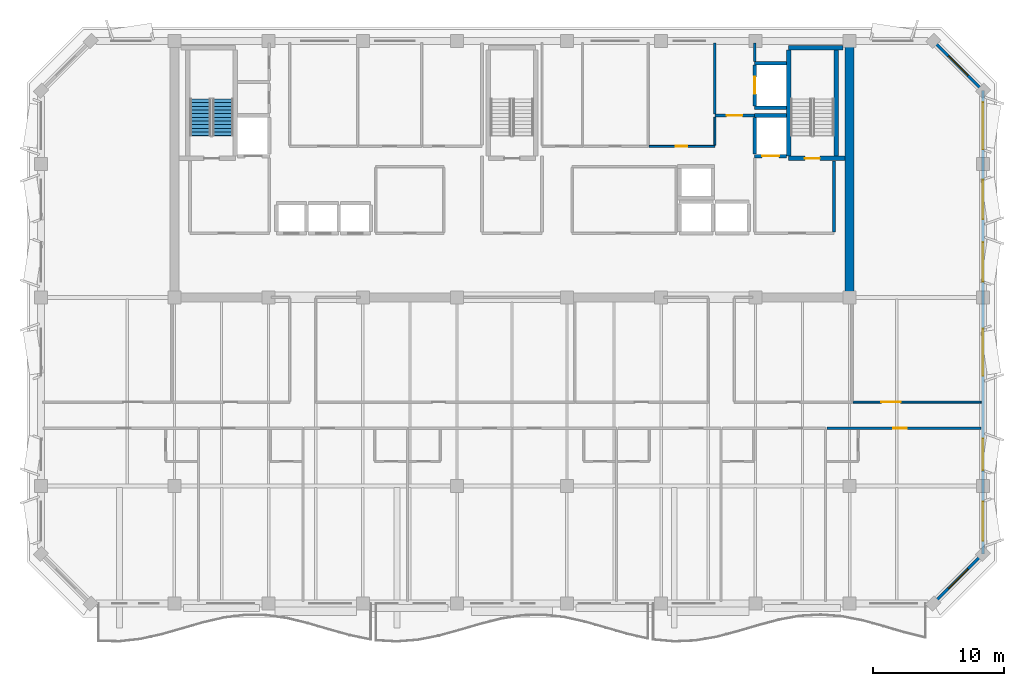
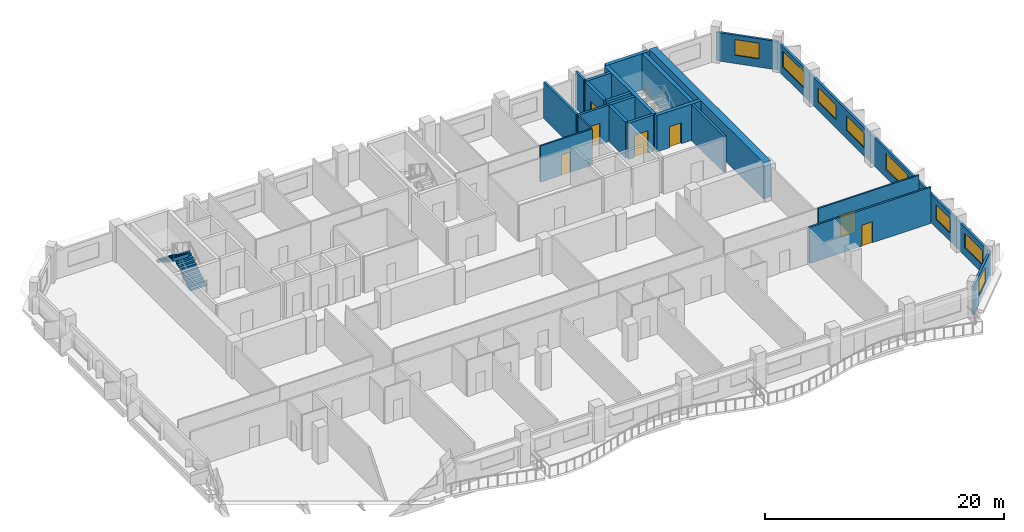
# One storey, part 7 of 11: 22 walls, 8 windows, 7 doors, 2 stair flights, 15 openings, 1 element without a shape of its own.
"""IFC4 building model written with IfcOpenShell, lengths in metres."""

import ifcopenshell
import ifcopenshell.guid

model = None  # the IFC model being written
_history = None  # IfcOwnerHistory: only IFC2X3 demands one
_inside = {}  # id of a spatial element -> (the spatial element, [elements in it])
_under = {}  # id of a project, library or spatial element -> (it, [spatial elements below it])
_declared = {}  # id of a project -> (the project, [libraries it declares])
_typed = {}  # id of a type object -> (the type object, [elements of that type])
_made_of = {}  # id of a material, layer set ... -> (it, [elements and type objects made of it])


def new_model(schema):
    """Start an empty IFC model of exactly this schema.

    Asked for "IFC4X3", IfcOpenShell would pick the latest addendum, in which some entities
    have other attributes; the version numbers below select the first issue.
    IFC2X3 requires an IfcOwnerHistory on every rooted entity: one is made here for all.
    """
    global model, _history
    if schema == "IFC4X3":
        model = ifcopenshell.file(schema_version=(4, 3, 0, 0))
    else:
        model = ifcopenshell.file(schema=schema)
    _inside.clear()
    _under.clear()
    _declared.clear()
    _typed.clear()
    _made_of.clear()
    _history = None
    if model.schema == "IFC2X3":
        org = make("IfcOrganization", Name="unknown")
        user = make(
            "IfcPersonAndOrganization",
            ThePerson=make("IfcPerson", FamilyName="unknown"),
            TheOrganization=org,
        )
        app = make(
            "IfcApplication",
            ApplicationDeveloper=org,
            Version="unknown",
            ApplicationFullName="unknown",
            ApplicationIdentifier="unknown",
        )
        _history = make(
            "IfcOwnerHistory",
            OwningUser=user,
            OwningApplication=app,
            ChangeAction="ADDED",
            CreationDate=0,
        )
    return model


def make(cls, **values):
    """One entity of the class cls with the attributes given. An attribute that is None is left unset."""
    return model.create_entity(
        cls, **{name: value for name, value in values.items() if value is not None}
    )


def rooted(cls, **values):
    """An entity with a GlobalId (a new one), such as an element, a storey or a relation."""
    return make(cls, GlobalId=ifcopenshell.guid.new(), OwnerHistory=_history, **values)


def si_unit(unit_type, name, prefix=None):
    """IfcSIUnit, for example si_unit("LENGTHUNIT", "METRE", prefix="MILLI")."""
    return make("IfcSIUnit", UnitType=unit_type, Prefix=prefix, Name=name)


def assignment(units):
    """IfcUnitAssignment: the units of a project."""
    return None if units is None else make("IfcUnitAssignment", Units=units)


def point(xyz):
    """IfcCartesianPoint."""
    return None if xyz is None else make("IfcCartesianPoint", Coordinates=xyz)


def direction(xyz):
    """IfcDirection."""
    return None if xyz is None else make("IfcDirection", DirectionRatios=xyz)


def frame(location, z_axis=None, x_axis=None):
    """IfcAxis2Placement3D, a coordinate frame: its origin and axes. An axis left out is left unset."""
    return make(
        "IfcAxis2Placement3D",
        Location=point(location),
        Axis=direction(z_axis),
        RefDirection=direction(x_axis),
    )


def frame_2d(location, x_axis=None):
    """IfcAxis2Placement2D, a coordinate frame in the plane: its origin and x axis."""
    return make(
        "IfcAxis2Placement2D", Location=point(location), RefDirection=direction(x_axis)
    )


def origin():
    """The frame at (0, 0, 0) with its axes left unset."""
    return frame((0.0, 0.0, 0.0))


def place(relative_to, where):
    """IfcLocalPlacement: puts the frame where relative to a parent placement (None: the world)."""
    return make(
        "IfcLocalPlacement", PlacementRelTo=relative_to, RelativePlacement=where
    )


def context(
    kind, dimensions, precision=None, world=None, true_north=None, identifier=None
):
    """IfcGeometricRepresentationContext, for example the 3D "Model" context."""
    return make(
        "IfcGeometricRepresentationContext",
        ContextIdentifier=identifier,
        ContextType=kind,
        CoordinateSpaceDimension=dimensions,
        Precision=precision,
        WorldCoordinateSystem=world,
        TrueNorth=true_north,
    )


def subcontext(parent, identifier, kind, view, scale=None):
    """IfcGeometricRepresentationSubContext, for example "Body" below "Model"."""
    return make(
        "IfcGeometricRepresentationSubContext",
        ContextIdentifier=identifier,
        ContextType=kind,
        ParentContext=parent,
        TargetScale=scale,
        TargetView=view,
    )


def project(units=None, contexts=None):
    """IfcProject with its units and contexts."""
    return rooted(
        "IfcProject",
        Name="project",
        RepresentationContexts=contexts,
        UnitsInContext=assignment(units),
    )


def spatial(cls, under=None, at=None, **own):
    """A site, building, storey or space (cls), placed at a placement, below another one or the project."""
    s = rooted(cls, ObjectPlacement=at, **own)
    if under is not None:
        _under.setdefault(under.id(), (under, []))[1].append(s)
    return s


def polyline(points):
    """IfcPolyline through the points."""
    return make("IfcPolyline", Points=[point(p) for p in points])


def profile(cls, at=None, kind="AREA", **sizes):
    """A parametric profile (cls). Its sizes go by their IFC names, for example OverallWidth=200.0."""
    return make(cls, ProfileType=kind, Position=at, **sizes)


def rectangle(**sizes):
    """IfcRectangleProfileDef."""
    return profile("IfcRectangleProfileDef", **sizes)


def outline(outer, holes=None, kind="AREA"):
    """IfcArbitraryClosedProfileDef: a profile drawn as a closed curve; with holes, ...WithVoids."""
    if holes is None:
        return make("IfcArbitraryClosedProfileDef", ProfileType=kind, OuterCurve=outer)
    return make(
        "IfcArbitraryProfileDefWithVoids",
        ProfileType=kind,
        OuterCurve=outer,
        InnerCurves=holes,
    )


def extrude(swept, where, along, depth):
    """IfcExtrudedAreaSolid: the profile swept, set in the frame where, extruded along a direction by depth."""
    return make(
        "IfcExtrudedAreaSolid",
        SweptArea=swept,
        Position=where,
        ExtrudedDirection=direction(along),
        Depth=depth,
    )


def shape(context_of_items, identifier, shape_type, items):
    """IfcShapeRepresentation: the items that make up one representation, for example the "Body"."""
    return make(
        "IfcShapeRepresentation",
        ContextOfItems=context_of_items,
        RepresentationIdentifier=identifier,
        RepresentationType=shape_type,
        Items=items,
    )


def material(Name=None, Category=None):
    """IfcMaterial."""
    return make("IfcMaterial", Name=Name, Category=Category)


def layer(
    of_material, thickness, ventilated=None, Name=None, Category=None, Priority=None
):
    """IfcMaterialLayer: one layer of a wall or slab, of a material (None: an air gap)."""
    return make(
        "IfcMaterialLayer",
        Material=of_material,
        LayerThickness=thickness,
        IsVentilated=ventilated,
        Name=Name,
        Category=Category,
        Priority=Priority,
    )


def layer_set(layers, Name=None):
    """IfcMaterialLayerSet."""
    return make("IfcMaterialLayerSet", MaterialLayers=layers, LayerSetName=Name)


def made_of(thing, what):
    """Note that an element or type object is made of a material, layer set ...; save() writes the relation."""
    if what is not None:
        _made_of.setdefault(what.id(), (what, []))[1].append(thing)
    return thing


def type_object(cls, material=None, **own):
    """A type object (cls), such as IfcWallType, which elements share."""
    return made_of(rooted(cls, **own), material)


def element(
    cls,
    number,
    at=None,
    inside=None,
    cuts=None,
    type_object=None,
    material=None,
    context=None,
    identifier="Body",
    shape_type=None,
    held_by="IfcProductDefinitionShape",
    body=None,
    shapes=None,
    **own,
):
    """One element of the class cls, such as IfcWall. Its Tag is "e" and its number.

    at: its placement. inside: the storey or other place that contains it. cuts: it is an
    opening in that element (IfcRelVoidsElement). A single representation is given by context,
    identifier, shape_type and body (its items); several are given by shapes. held_by: the class
    of the entity that holds the representations. save() writes the other relations.
    """
    e = rooted(cls, Tag="e%d" % number, ObjectPlacement=at, **own)
    if body is not None:
        shapes = [shape(context, identifier, shape_type, body)]
    if shapes is not None:
        e.Representation = make(held_by, Representations=shapes)
    if inside is not None:
        _inside.setdefault(inside.id(), (inside, []))[1].append(e)
    if cuts is not None:
        rooted(
            "IfcRelVoidsElement", RelatingBuildingElement=cuts, RelatedOpeningElement=e
        )
    if type_object is not None:
        _typed.setdefault(type_object.id(), (type_object, []))[1].append(e)
    return made_of(e, material)


def fill(opening, filler):
    """IfcRelFillsElement: the door or window that sits in an opening."""
    return rooted(
        "IfcRelFillsElement",
        RelatingOpeningElement=opening,
        RelatedBuildingElement=filler,
    )


def aggregate(whole, parts):
    """IfcRelAggregates: a whole, such as a stair, and the parts it consists of."""
    return rooted("IfcRelAggregates", RelatingObject=whole, RelatedObjects=parts)


def save(model, path):
    """Write the relations noted so far, then the file.

    IfcRelAggregates (storeys below a building ...), IfcRelContainedInSpatialStructure (elements
    in a storey), IfcRelDefinesByType, IfcRelAssociatesMaterial and IfcRelDeclares: one each for
    every whole, place, type object, material and project.
    """
    for whole, parts in _under.values():
        aggregate(whole, parts)
    for where, things in _inside.values():
        rooted(
            "IfcRelContainedInSpatialStructure",
            RelatedElements=things,
            RelatingStructure=where,
        )
    for kind, things in _typed.values():
        rooted("IfcRelDefinesByType", RelatedObjects=things, RelatingType=kind)
    for what, things in _made_of.values():
        rooted("IfcRelAssociatesMaterial", RelatedObjects=things, RelatingMaterial=what)
    for by, libraries in _declared.values():
        rooted("IfcRelDeclares", RelatingContext=by, RelatedDefinitions=libraries)
    model.write(path)


model = new_model("IFC4")

# Units and contexts
model_context = context("Model", 3, precision=1e-05, world=origin(), true_north=direction((0.0, 1.0)))
body_context = subcontext(model_context, "Body", "Model", "MODEL_VIEW")
ifc_project = project(units=[si_unit("LENGTHUNIT", "METRE"), si_unit("AREAUNIT", "SQUARE_METRE"), si_unit("VOLUMEUNIT", "CUBIC_METRE"), si_unit("PLANEANGLEUNIT", "RADIAN"), si_unit("MASSUNIT", "GRAM", prefix="KILO")], contexts=[model_context])

# Site, building, storey
site_placement = place(None, origin())
site = spatial("IfcSite", under=ifc_project, at=site_placement, CompositionType="ELEMENT")
building_placement = place(site_placement, origin())
building = spatial("IfcBuilding", under=site, at=building_placement, Name="Kaelvorn Grand Hotel", CompositionType="ELEMENT")
storey_placement = place(building_placement, frame((0.0, 0.0, 248.89990234375)))
storey = spatial("IfcBuildingStorey", under=building, at=storey_placement, Name="L61", CompositionType="ELEMENT", Elevation=248.89990234375)

# Wall
ifc_material_1 = material(Name="Concrete C50/60", Category="concrete")
ifc_layer_1 = layer(ifc_material_1, 0.699951171875)
ifc_layer_set_1 = layer_set([ifc_layer_1], Name="Concrete C50/60")
wall_type_1 = type_object("IfcWallType", Name="WL-CORE-700-C50", PredefinedType="SHEAR", material=ifc_layer_set_1)
wall_1_placement = place(storey_placement, frame((67.800048828125, 29.39990234375, 0.0), z_axis=(0.0, 0.0, 1.0), x_axis=(0.0, 1.0, 0.0)))
element("IfcWall", 1, at=wall_1_placement, inside=storey, type_object=wall_type_1, Name="L61 Rear-Core East Shear Wall", PredefinedType="SHEAR", context=body_context, shape_type="SweptSolid", body=[
    extrude(rectangle(XDim=19.2001953125, YDim=0.699951171875, at=frame_2d((9.60009765625, 0.0))), origin(), (0.0, 0.0, 1.0), 3.710205078125),
])

# Wall, opening, window
ifc_material_2 = material(Name="Concrete C40/50", Category="concrete")
ifc_layer_2 = layer(ifc_material_2, 0.219970703125)
ifc_layer_set_2 = layer_set([ifc_layer_2], Name="Concrete C40/50")
wall_type_2 = type_object("IfcWallType", Name="WL-EXT-220-C40", PredefinedType="SOLIDWALL", material=ifc_layer_set_2)
wall_2_placement = place(storey_placement, frame((74.199951171875, 6.0, 0.0), z_axis=(0.0, 0.0, 1.0), x_axis=(0.707106781187, 0.707106781187, 0.0)))
wall_2 = element("IfcWall", 2, at=wall_2_placement, inside=storey, type_object=wall_type_2, Name="L61 Exterior Architectural Concrete Wall 02", PredefinedType="SOLIDWALL", context=body_context, shape_type="SweptSolid", body=[
    extrude(rectangle(XDim=5.3740234375, YDim=0.219970703125, at=frame_2d((2.68701171875, 0.0))), origin(), (0.0, 0.0, 1.0), 2.91015625),
])
opening_1_placement = place(wall_2_placement, frame((1.636962890625, 0.0, 0.85009765625)))
opening_1 = element("IfcOpeningElement", 3, at=opening_1_placement, cuts=wall_2, Name="Opening W7", PredefinedType="OPENING", context=body_context, shape_type="SweptSolid", body=[
    extrude(rectangle(XDim=2.10009765625, YDim=1.60009765625, at=frame_2d((1.050048828125, 0.800048828125))), frame((0.0, 0.1201171875, 0.0), z_axis=(0.0, -1.0, 0.0), x_axis=(1.0, 0.0, 0.0)), (0.0, 0.0, 1.0), 0.239990234375),
])
ifc_material_3 = material(Name="Laminated Low-E Glass", Category="glass")
window_type_1 = type_object("IfcWindowType", Name="WIN-CHM-2100x1600", PartitioningType="SINGLE_PANEL", PredefinedType="WINDOW", material=ifc_material_3)
window_1_placement = place(opening_1_placement, origin())
window_1 = element("IfcWindow", 4, at=window_1_placement, inside=storey, type_object=window_type_1, Name="L61 Chamfered 45-Degree Corner Window SE", OverallHeight=1.60009765625, OverallWidth=2.10009765625, PartitioningType="SINGLE_PANEL", PredefinedType="WINDOW", context=body_context, shape_type="SweptSolid", body=[
    extrude(rectangle(XDim=2.10009765625, YDim=1.60009765625, at=frame_2d((1.050048828125, 0.800048828125))), frame((0.0, 0.030029296875, 0.0), z_axis=(0.0, -1.0, 0.0), x_axis=(1.0, 0.0, 0.0)), (0.0, 0.0, 1.0), 0.06005859375),
])
fill(opening_1, window_1)

# Wall, openings, windows
wall_3_placement = place(storey_placement, frame((78.0, 9.800048828125, 0.0), z_axis=(0.0, 0.0, 1.0), x_axis=(0.0, 1.0, 0.0)))
wall_3 = element("IfcWall", 5, at=wall_3_placement, inside=storey, type_object=wall_type_2, Name="L61 Exterior Architectural Concrete Wall 03", PredefinedType="SOLIDWALL", context=body_context, shape_type="SweptSolid", body=[
    extrude(rectangle(XDim=35.39990234375, YDim=0.219970703125, at=frame_2d((17.699951171875, 0.0))), origin(), (0.0, 0.0, 1.0), 2.91015625),
])
opening_2_placement = place(wall_3_placement, frame((0.985107421875, 0.0, 0.85009765625)))
opening_2 = element("IfcOpeningElement", 6, at=opening_2_placement, cuts=wall_3, Name="Opening W5", PredefinedType="OPENING", context=body_context, shape_type="SweptSolid", body=[
    extrude(rectangle(XDim=3.0, YDim=1.5, at=frame_2d((1.5, 0.75))), frame((0.0, 0.1201171875, 0.0), z_axis=(0.0, -1.0, 0.0), x_axis=(1.0, 0.0, 0.0)), (0.0, 0.0, 1.0), 0.239990234375),
])
opening_3_placement = place(wall_3_placement, frame((6.39990234375, 0.0, 0.85009765625)))
opening_3 = element("IfcOpeningElement", 7, at=opening_3_placement, cuts=wall_3, Name="Opening W6", PredefinedType="OPENING", context=body_context, shape_type="SweptSolid", body=[
    extrude(rectangle(XDim=2.39990234375, YDim=1.5, at=frame_2d((1.199951171875, 0.75))), frame((0.0, 0.1201171875, 0.0), z_axis=(0.0, -1.0, 0.0), x_axis=(1.0, 0.0, 0.0)), (0.0, 0.0, 1.0), 0.239990234375),
])
opening_4_placement = place(wall_3_placement, frame((13.60009765625, 0.0, 0.85009765625)))
opening_4 = element("IfcOpeningElement", 8, at=opening_4_placement, cuts=wall_3, Name="Opening W3", PredefinedType="OPENING", context=body_context, shape_type="SweptSolid", body=[
    extrude(rectangle(XDim=3.60009765625, YDim=1.64990234375, at=frame_2d((1.800048828125, 0.824951171875))), frame((0.0, 0.1201171875, 0.0), z_axis=(0.0, -1.0, 0.0), x_axis=(1.0, 0.0, 0.0)), (0.0, 0.0, 1.0), 0.239990234375),
])
opening_5_placement = place(wall_3_placement, frame((20.81494140625, 0.0, 0.85009765625)))
opening_5 = element("IfcOpeningElement", 9, at=opening_5_placement, cuts=wall_3, Name="Opening W5", PredefinedType="OPENING", context=body_context, shape_type="SweptSolid", body=[
    extrude(rectangle(XDim=3.0, YDim=1.5, at=frame_2d((1.5, 0.75))), frame((0.0, 0.1201171875, 0.0), z_axis=(0.0, -1.0, 0.0), x_axis=(1.0, 0.0, 0.0)), (0.0, 0.0, 1.0), 0.239990234375),
])
opening_6_placement = place(wall_3_placement, frame((25.5849609375, 0.0, 0.85009765625)))
opening_6 = element("IfcOpeningElement", 10, at=opening_6_placement, cuts=wall_3, Name="Opening W5", PredefinedType="OPENING", context=body_context, shape_type="SweptSolid", body=[
    extrude(rectangle(XDim=3.0, YDim=1.5, at=frame_2d((1.5, 0.75))), frame((0.0, 0.1201171875, 0.0), z_axis=(0.0, -1.0, 0.0), x_axis=(1.0, 0.0, 0.0)), (0.0, 0.0, 1.0), 0.239990234375),
])
opening_7_placement = place(wall_3_placement, frame((30.9150390625, 0.0, 0.85009765625)))
opening_7 = element("IfcOpeningElement", 11, at=opening_7_placement, cuts=wall_3, Name="Opening W3", PredefinedType="OPENING", context=body_context, shape_type="SweptSolid", body=[
    extrude(rectangle(XDim=3.60009765625, YDim=1.64990234375, at=frame_2d((1.800048828125, 0.824951171875))), frame((0.0, 0.1201171875, 0.0), z_axis=(0.0, -1.0, 0.0), x_axis=(1.0, 0.0, 0.0)), (0.0, 0.0, 1.0), 0.239990234375),
])
window_type_2 = type_object("IfcWindowType", Name="WIN-NTH-2400x1500", PartitioningType="SINGLE_PANEL", PredefinedType="WINDOW", material=ifc_material_3)
window_2_placement = place(opening_3_placement, origin())
window_2 = element("IfcWindow", 12, at=window_2_placement, inside=storey, type_object=window_type_2, Name="L61 E Wing Tilted-Frame Ribbon Window E02", OverallHeight=1.5, OverallWidth=2.39990234375, PartitioningType="SINGLE_PANEL", PredefinedType="WINDOW", context=body_context, shape_type="SweptSolid", body=[
    extrude(rectangle(XDim=2.39990234375, YDim=1.5, at=frame_2d((1.199951171875, 0.75))), frame((0.0, 0.030029296875, 0.0), z_axis=(0.0, -1.0, 0.0), x_axis=(1.0, 0.0, 0.0)), (0.0, 0.0, 1.0), 0.06005859375),
])
fill(opening_3, window_2)
window_type_3 = type_object("IfcWindowType", Name="WIN-NTH-3000x1500", PartitioningType="SINGLE_PANEL", PredefinedType="WINDOW", material=ifc_material_3)
window_3_placement = place(opening_2_placement, origin())
window_3 = element("IfcWindow", 13, at=window_3_placement, inside=storey, type_object=window_type_3, Name="L61 E Wing Tilted-Frame Ribbon Window E01", OverallHeight=1.5, OverallWidth=3.0, PartitioningType="SINGLE_PANEL", PredefinedType="WINDOW", context=body_context, shape_type="SweptSolid", body=[
    extrude(rectangle(XDim=3.0, YDim=1.5, at=frame_2d((1.5, 0.75))), frame((0.0, 0.030029296875, 0.0), z_axis=(0.0, -1.0, 0.0), x_axis=(1.0, 0.0, 0.0)), (0.0, 0.0, 1.0), 0.06005859375),
])
fill(opening_2, window_3)
window_4_placement = place(opening_5_placement, origin())
window_4 = element("IfcWindow", 14, at=window_4_placement, inside=storey, type_object=window_type_3, Name="L61 E Wing Tilted-Frame Ribbon Window E04", OverallHeight=1.5, OverallWidth=3.0, PartitioningType="SINGLE_PANEL", PredefinedType="WINDOW", context=body_context, shape_type="SweptSolid", body=[
    extrude(rectangle(XDim=3.0, YDim=1.5, at=frame_2d((1.5, 0.75))), frame((0.0, 0.030029296875, 0.0), z_axis=(0.0, -1.0, 0.0), x_axis=(1.0, 0.0, 0.0)), (0.0, 0.0, 1.0), 0.06005859375),
])
fill(opening_5, window_4)
window_5_placement = place(opening_6_placement, origin())
window_5 = element("IfcWindow", 15, at=window_5_placement, inside=storey, type_object=window_type_3, Name="L61 E Wing Tilted-Frame Ribbon Window E05", OverallHeight=1.5, OverallWidth=3.0, PartitioningType="SINGLE_PANEL", PredefinedType="WINDOW", context=body_context, shape_type="SweptSolid", body=[
    extrude(rectangle(XDim=3.0, YDim=1.5, at=frame_2d((1.5, 0.75))), frame((0.0, 0.030029296875, 0.0), z_axis=(0.0, -1.0, 0.0), x_axis=(1.0, 0.0, 0.0)), (0.0, 0.0, 1.0), 0.06005859375),
])
fill(opening_6, window_5)
window_type_4 = type_object("IfcWindowType", Name="WIN-RIB-3600x1750", PartitioningType="SINGLE_PANEL", PredefinedType="WINDOW", material=ifc_material_3)
window_6_placement = place(opening_4_placement, origin())
window_6 = element("IfcWindow", 16, at=window_6_placement, inside=storey, type_object=window_type_4, Name="L61 E Wing Tilted-Frame Ribbon Window E03", OverallHeight=1.64990234375, OverallWidth=3.60009765625, PartitioningType="SINGLE_PANEL", PredefinedType="WINDOW", context=body_context, shape_type="SweptSolid", body=[
    extrude(rectangle(XDim=3.60009765625, YDim=1.64990234375, at=frame_2d((1.800048828125, 0.824951171875))), frame((0.0, 0.030029296875, 0.0), z_axis=(0.0, -1.0, 0.0), x_axis=(1.0, 0.0, 0.0)), (0.0, 0.0, 1.0), 0.06005859375),
])
fill(opening_4, window_6)
window_7_placement = place(opening_7_placement, origin())
window_7 = element("IfcWindow", 17, at=window_7_placement, inside=storey, type_object=window_type_4, Name="L61 E Wing Tilted-Frame Ribbon Window E06", OverallHeight=1.64990234375, OverallWidth=3.60009765625, PartitioningType="SINGLE_PANEL", PredefinedType="WINDOW", context=body_context, shape_type="SweptSolid", body=[
    extrude(rectangle(XDim=3.60009765625, YDim=1.64990234375, at=frame_2d((1.800048828125, 0.824951171875))), frame((0.0, 0.030029296875, 0.0), z_axis=(0.0, -1.0, 0.0), x_axis=(1.0, 0.0, 0.0)), (0.0, 0.0, 1.0), 0.06005859375),
])
fill(opening_7, window_7)

# Wall, opening, window
wall_4_placement = place(storey_placement, frame((78.0, 45.199951171875, 0.0), z_axis=(0.0, 0.0, 1.0), x_axis=(-0.707106781187, 0.707106781187, 0.0)))
wall_4 = element("IfcWall", 18, at=wall_4_placement, inside=storey, type_object=wall_type_2, Name="L61 Exterior Architectural Concrete Wall 04", PredefinedType="SOLIDWALL", context=body_context, shape_type="SweptSolid", body=[
    extrude(rectangle(XDim=5.3740234375, YDim=0.219970703125, at=frame_2d((2.68701171875, 0.0))), origin(), (0.0, 0.0, 1.0), 2.91015625),
])
opening_8_placement = place(wall_4_placement, frame((1.636962890625, 0.0, 0.85009765625)))
opening_8 = element("IfcOpeningElement", 19, at=opening_8_placement, cuts=wall_4, Name="Opening W7", PredefinedType="OPENING", context=body_context, shape_type="SweptSolid", body=[
    extrude(rectangle(XDim=2.10009765625, YDim=1.60009765625, at=frame_2d((1.050048828125, 0.800048828125))), frame((0.0, 0.1201171875, 0.0), z_axis=(0.0, -1.0, 0.0), x_axis=(1.0, 0.0, 0.0)), (0.0, 0.0, 1.0), 0.239990234375),
])
window_8_placement = place(opening_8_placement, origin())
window_8 = element("IfcWindow", 20, at=window_8_placement, inside=storey, type_object=window_type_1, Name="L61 Chamfered 45-Degree Corner Window NE", OverallHeight=1.60009765625, OverallWidth=2.10009765625, PartitioningType="SINGLE_PANEL", PredefinedType="WINDOW", context=body_context, shape_type="SweptSolid", body=[
    extrude(rectangle(XDim=2.10009765625, YDim=1.60009765625, at=frame_2d((1.050048828125, 0.800048828125))), frame((0.0, 0.030029296875, 0.0), z_axis=(0.0, -1.0, 0.0), x_axis=(1.0, 0.0, 0.0)), (0.0, 0.0, 1.0), 0.06005859375),
])
fill(opening_8, window_8)

# Wall, opening, door
ifc_material_4 = material(Name="Acoustic Gypsum & Stud Partition")
ifc_layer_3 = layer(ifc_material_4, 0.14990234375)
ifc_layer_set_3 = layer_set([ifc_layer_3], Name="Acoustic Gypsum & Stud Partition")
wall_type_3 = type_object("IfcWallType", Name="WL-PART-150-EI60", PredefinedType="PARTITIONING", material=ifc_layer_set_3)
wall_5_placement = place(storey_placement, frame((52.47998046875, 40.949951171875, 0.0), z_axis=(0.0, 0.0, 1.0), x_axis=(1.0, 0.0, 0.0)))
wall_5 = element("IfcWall", 21, at=wall_5_placement, inside=storey, type_object=wall_type_3, Name="L61 Clean Utility & Amenity Store S Partition", PredefinedType="PARTITIONING", context=body_context, shape_type="SweptSolid", body=[
    extrude(rectangle(XDim=5.02001953125, YDim=0.14990234375, at=frame_2d((2.510009765625, 0.0))), origin(), (0.0, 0.0, 1.0), 3.710205078125),
])
opening_9_placement = place(wall_5_placement, frame((2.044921875, 0.0, 0.0)))
opening_9 = element("IfcOpeningElement", 22, at=opening_9_placement, cuts=wall_5, Name="Opening DI7", PredefinedType="OPENING", context=body_context, shape_type="SweptSolid", body=[
    extrude(rectangle(XDim=0.85009765625, YDim=2.10009765625, at=frame_2d((0.425048828125, 1.050048828125))), frame((0.0, 0.0849609375, 0.0), z_axis=(0.0, -1.0, 0.0), x_axis=(1.0, 0.0, 0.0)), (0.0, 0.0, 1.0), 0.169921875),
])
ifc_material_5 = material(Name="Powder-Coated Steel Leaf", Category="steel")
door_type_1 = type_object("IfcDoorType", Name="DR-INT-RISER-850x2100", OperationType="NOTDEFINED", PredefinedType="DOOR", material=ifc_material_5)
door_1_placement = place(opening_9_placement, origin())
door_1 = element("IfcDoor", 23, at=door_1_placement, inside=storey, type_object=door_type_1, Name="L61 Clean Utility & Amenity Store Door", OperationType="SINGLE_SWING_LEFT", OverallHeight=2.10009765625, OverallWidth=0.85009765625, PredefinedType="DOOR", context=body_context, shape_type="SweptSolid", body=[
    extrude(rectangle(XDim=0.85009765625, YDim=2.10009765625, at=frame_2d((0.425048828125, 1.050048828125))), frame((0.0, 0.02490234375, 0.0), z_axis=(0.0, -1.0, 0.0), x_axis=(1.0, 0.0, 0.0)), (0.0, 0.0, 1.0), 0.050048828125),
])
fill(opening_9, door_1)

# Wall
wall_6_placement = place(storey_placement, frame((57.5, 41.030029296875, 0.0), z_axis=(0.0, 0.0, 1.0), x_axis=(0.0, 1.0, 0.0)))
element("IfcWall", 24, at=wall_6_placement, inside=storey, type_object=wall_type_3, Name="L61 Clean Utility & Amenity Store E Partition", PredefinedType="PARTITIONING", context=body_context, shape_type="SweptSolid", body=[
    extrude(rectangle(XDim=2.155029296875, YDim=0.14990234375, at=frame_2d((1.07763671875, 0.0))), origin(), (0.0, 0.0, 1.0), 3.710205078125),
])

# Wall, opening, door
wall_7_placement = place(storey_placement, frame((68.080078125, 21.39990234375, 0.0), z_axis=(0.0, 0.0, 1.0), x_axis=(1.0, 0.0, 0.0)))
wall_7 = element("IfcWall", 25, at=wall_7_placement, inside=storey, type_object=wall_type_3, Name="L61 East Sky Private Dining Restaurant S Partition", PredefinedType="PARTITIONING", context=body_context, shape_type="SweptSolid", body=[
    extrude(rectangle(XDim=9.77001953125, YDim=0.14990234375, at=frame_2d((4.885009765625, 0.0))), origin(), (0.0, 0.0, 1.0), 3.710205078125),
])
opening_10_placement = place(wall_7_placement, frame((2.139892578125, 0.0, 0.0)))
opening_10 = element("IfcOpeningElement", 26, at=opening_10_placement, cuts=wall_7, Name="Opening DI5", PredefinedType="OPENING", context=body_context, shape_type="SweptSolid", body=[
    extrude(rectangle(XDim=1.5, YDim=2.25, at=frame_2d((0.75, 1.125))), frame((0.0, 0.0849609375, 0.0), z_axis=(0.0, -1.0, 0.0), x_axis=(1.0, 0.0, 0.0)), (0.0, 0.0, 1.0), 0.169921875),
])
ifc_material_6 = material(Name="Timber Veneer Fire Leaf", Category="wood")
door_type_2 = type_object("IfcDoorType", Name="DR-INT-SALON-1500x2250", OperationType="DOUBLE_DOOR_SINGLE_SWING", PredefinedType="DOOR", material=ifc_material_6)
door_2_placement = place(opening_10_placement, origin())
door_2 = element("IfcDoor", 27, at=door_2_placement, inside=storey, type_object=door_type_2, Name="L61 East Sky Private Dining Restaurant Door", OperationType="DOUBLE_DOOR_SINGLE_SWING", OverallHeight=2.25, OverallWidth=1.5, PredefinedType="DOOR", context=body_context, shape_type="SweptSolid", body=[
    extrude(rectangle(XDim=1.5, YDim=2.25, at=frame_2d((0.75, 1.125))), frame((0.0, 0.02490234375, 0.0), z_axis=(0.0, -1.0, 0.0), x_axis=(1.0, 0.0, 0.0)), (0.0, 0.0, 1.0), 0.050048828125),
])
fill(opening_10, door_2)

ifc_layer_4 = layer(ifc_material_4, 0.179931640625)
ifc_layer_set_4 = layer_set([ifc_layer_4], Name="Acoustic Gypsum & Stud Partition")
wall_type_4 = type_object("IfcWallType", Name="WL-PART-180-EI60", PredefinedType="PARTITIONING", material=ifc_layer_set_4)
wall_8_placement = place(storey_placement, frame((66.0576171875, 19.39990234375, 0.0), z_axis=(0.0, 0.0, 1.0), x_axis=(1.0, 0.0, 0.0)))
wall_8 = element("IfcWall", 28, at=wall_8_placement, inside=storey, type_object=wall_type_4, Name="L61 Ambassador Junior Suite L61-08 N Partition", PredefinedType="PARTITIONING", context=body_context, shape_type="SweptSolid", body=[
    extrude(rectangle(XDim=11.79248046875, YDim=0.179931640625, at=frame_2d((5.896240234375, 0.0))), origin(), (0.0, 0.0, 1.0), 3.710205078125),
])
opening_11_placement = place(wall_8_placement, frame((5.0986328125, 0.0, 0.0)))
opening_11 = element("IfcOpeningElement", 29, at=opening_11_placement, cuts=wall_8, Name="Opening DI3", PredefinedType="OPENING", context=body_context, shape_type="SweptSolid", body=[
    extrude(rectangle(XDim=1.0, YDim=2.14990234375, at=frame_2d((0.5, 1.074951171875))), frame((0.0, 0.10009765625, 0.0), z_axis=(0.0, -1.0, 0.0), x_axis=(1.0, 0.0, 0.0)), (0.0, 0.0, 1.0), 0.199951171875),
])
door_type_3 = type_object("IfcDoorType", Name="DR-INT-GUEST-1000x2150", OperationType="NOTDEFINED", PredefinedType="DOOR", material=ifc_material_6)
door_3_placement = place(opening_11_placement, origin())
door_3 = element("IfcDoor", 30, at=door_3_placement, inside=storey, type_object=door_type_3, Name="L61 Ambassador Junior Suite L61-08 Door", OperationType="SINGLE_SWING_RIGHT", OverallHeight=2.14990234375, OverallWidth=1.0, PredefinedType="DOOR", context=body_context, shape_type="SweptSolid", body=[
    extrude(rectangle(XDim=1.0, YDim=2.14990234375, at=frame_2d((0.5, 1.074951171875))), frame((0.0, 0.02490234375, 0.0), z_axis=(0.0, -1.0, 0.0), x_axis=(1.0, 0.0, 0.0)), (0.0, 0.0, 1.0), 0.050048828125),
])
fill(opening_11, door_3)

# Wall
ifc_layer_5 = layer(ifc_material_2, 0.219970703125)
ifc_layer_set_5 = layer_set([ifc_layer_5], Name="Concrete C40/50")
wall_type_5 = type_object("IfcWallType", Name="WL-PART-220-EI120", PredefinedType="PARTITIONING", material=ifc_layer_set_5)
wall_9_placement = place(storey_placement, frame((66.60009765625, 34.4150390625, 0.0), z_axis=(0.0, 0.0, 1.0), x_axis=(0.0, 1.0, 0.0)))
element("IfcWall", 31, at=wall_9_placement, inside=storey, type_object=wall_type_5, Name="L61 Firefighting Lift Lobby 2 E Partition", PredefinedType="PARTITIONING", context=body_context, shape_type="SweptSolid", body=[
    extrude(rectangle(XDim=5.429931640625, YDim=0.219970703125, at=frame_2d((2.71484375, 0.0))), origin(), (0.0, 0.0, 1.0), 3.710205078125),
])

# Wall, opening, door
wall_10_placement = place(storey_placement, frame((57.5, 43.300048828125, 0.0), z_axis=(0.0, 0.0, 1.0), x_axis=(1.0, 0.0, 0.0)))
wall_10 = element("IfcWall", 32, at=wall_10_placement, inside=storey, type_object=wall_type_5, Name="L61 Service Lift Lobby S Partition", PredefinedType="PARTITIONING", context=body_context, shape_type="SweptSolid", body=[
    extrude(rectangle(XDim=3.0400390625, YDim=0.219970703125, at=frame_2d((1.52001953125, 0.0))), origin(), (0.0, 0.0, 1.0), 3.710205078125),
])
opening_12_placement = place(wall_10_placement, frame((0.89990234375, 0.0, 0.0)))
opening_12 = element("IfcOpeningElement", 33, at=opening_12_placement, cuts=wall_10, Name="Opening DI2", PredefinedType="OPENING", context=body_context, shape_type="SweptSolid", body=[
    extrude(rectangle(XDim=1.199951171875, YDim=2.14990234375, at=frame_2d((0.60009765625, 1.074951171875))), frame((0.0, 0.1201171875, 0.0), z_axis=(0.0, -1.0, 0.0), x_axis=(1.0, 0.0, 0.0)), (0.0, 0.0, 1.0), 0.239990234375),
])
door_type_4 = type_object("IfcDoorType", Name="DR-INT-FFLOB-1200x2150", OperationType="NOTDEFINED", PredefinedType="DOOR", material=ifc_material_6)
door_4_placement = place(opening_12_placement, origin())
door_4 = element("IfcDoor", 34, at=door_4_placement, inside=storey, type_object=door_type_4, Name="L61 Service Lift Lobby Door", OperationType="SINGLE_SWING_LEFT", OverallHeight=2.14990234375, OverallWidth=1.199951171875, PredefinedType="DOOR", context=body_context, shape_type="SweptSolid", body=[
    extrude(rectangle(XDim=1.199951171875, YDim=2.14990234375, at=frame_2d((0.60009765625, 1.074951171875))), frame((0.0, 0.02490234375, 0.0), z_axis=(0.0, -1.0, 0.0), x_axis=(1.0, 0.0, 0.0)), (0.0, 0.0, 1.0), 0.050048828125),
])
fill(opening_12, door_4)

# Walls
wall_11_placement = place(storey_placement, frame((57.5, 43.4150390625, 0.0), z_axis=(0.0, 0.0, 1.0), x_axis=(0.0, 1.0, 0.0)))
element("IfcWall", 35, at=wall_11_placement, inside=storey, type_object=wall_type_5, Name="L61 Service Lift Lobby W Partition", PredefinedType="PARTITIONING", context=body_context, shape_type="SweptSolid", body=[
    extrude(rectangle(XDim=5.43505859375, YDim=0.219970703125, at=frame_2d((2.717529296875, 0.0))), origin(), (0.0, 0.0, 1.0), 3.710205078125),
])
wall_12_placement = place(storey_placement, frame((60.550048828125, 47.445068359375, 0.0), z_axis=(0.0, 0.0, 1.0), x_axis=(0.0, 1.0, 0.0)))
element("IfcWall", 36, at=wall_12_placement, inside=storey, type_object=wall_type_5, Name="L61 Service Lift Lobby E Partition", PredefinedType="PARTITIONING", context=body_context, shape_type="SweptSolid", body=[
    extrude(rectangle(XDim=1.405029296875, YDim=0.219970703125, at=frame_2d((0.70263671875, 0.0))), origin(), (0.0, 0.0, 1.0), 3.710205078125),
])

# Wall, opening, door
ifc_layer_6 = layer(ifc_material_1, 0.280029296875)
ifc_layer_set_6 = layer_set([ifc_layer_6], Name="Concrete C50/60")
wall_type_6 = type_object("IfcWallType", Name="WL-SHAFT-280-C50", PredefinedType="SHEAR", material=ifc_layer_set_6)
wall_13_placement = place(storey_placement, frame((60.550048828125, 40.199951171875, 0.0), z_axis=(0.0, 0.0, 1.0), x_axis=(1.0, 0.0, 0.0)))
wall_13 = element("IfcWall", 37, at=wall_13_placement, inside=storey, type_object=wall_type_6, Name="L61 Lift FFL2 Shaft South Wall", PredefinedType="SHEAR", context=body_context, shape_type="SweptSolid", body=[
    extrude(rectangle(XDim=2.4150390625, YDim=0.280029296875, at=frame_2d((1.20751953125, 0.0))), origin(), (0.0, 0.0, 1.0), 3.710205078125),
])
opening_13_placement = place(wall_13_placement, frame((0.574951171875, 0.0, 0.0)))
opening_13 = element("IfcOpeningElement", 38, at=opening_13_placement, cuts=wall_13, Name="Opening LD-FFL2", PredefinedType="OPENING", context=body_context, shape_type="SweptSolid", body=[
    extrude(rectangle(XDim=1.300048828125, YDim=2.300048828125, at=frame_2d((0.64990234375, 1.14990234375))), frame((0.0, 0.14990234375, 0.0), z_axis=(0.0, -1.0, 0.0), x_axis=(1.0, 0.0, 0.0)), (0.0, 0.0, 1.0), 0.300048828125),
])
ifc_material_7 = material(Name="Stainless Steel", Category="steel")
door_type_5 = type_object("IfcDoorType", Name="DR-LIFT-SERV-1300x2300", OperationType="DOUBLE_DOOR_SLIDING", PredefinedType="DOOR", material=ifc_material_7)
door_5_placement = place(opening_13_placement, origin())
door_5 = element("IfcDoor", 39, at=door_5_placement, inside=storey, type_object=door_type_5, Name="L61 Lift FFL2 Sliding Landing Door LD-FFL2", OperationType="DOUBLE_DOOR_SLIDING", OverallHeight=2.300048828125, OverallWidth=1.300048828125, PredefinedType="DOOR", context=body_context, shape_type="SweptSolid", body=[
    extrude(rectangle(XDim=1.300048828125, YDim=2.300048828125, at=frame_2d((0.64990234375, 1.14990234375))), frame((0.0, 0.02490234375, 0.0), z_axis=(0.0, -1.0, 0.0), x_axis=(1.0, 0.0, 0.0)), (0.0, 0.0, 1.0), 0.050048828125),
])
fill(opening_13, door_5)

# Walls
wall_14_placement = place(storey_placement, frame((60.550048828125, 43.300048828125, 0.0), z_axis=(0.0, 0.0, 1.0), x_axis=(1.0, 0.0, 0.0)))
element("IfcWall", 40, at=wall_14_placement, inside=storey, type_object=wall_type_6, Name="L61 Lift FFL2 Shaft North Wall", PredefinedType="SHEAR", context=body_context, shape_type="SweptSolid", body=[
    extrude(rectangle(XDim=2.4150390625, YDim=0.280029296875, at=frame_2d((1.20751953125, 0.0))), origin(), (0.0, 0.0, 1.0), 3.710205078125),
])
wall_15_placement = place(storey_placement, frame((60.550048828125, 40.344970703125, 0.0), z_axis=(0.0, 0.0, 1.0), x_axis=(0.0, 1.0, 0.0)))
element("IfcWall", 41, at=wall_15_placement, inside=storey, type_object=wall_type_6, Name="L61 Lift FFL2 Shaft West Wall", PredefinedType="SHEAR", context=body_context, shape_type="SweptSolid", body=[
    extrude(rectangle(XDim=2.81005859375, YDim=0.280029296875, at=frame_2d((1.405029296875, 0.0))), origin(), (0.0, 0.0, 1.0), 3.710205078125),
])
for number, where, z_axis, x_axis, name in (
    (42, (60.550048828125, 43.89990234375, 0.0), (0.0, 0.0, 1.0), (1.0, 0.0, 0.0), "L61 Lift SV1 Shaft South Wall"),
    (43, (60.550048828125, 47.300048828125, 0.0), (0.0, 0.0, 1.0), (1.0, 0.0, 0.0), "L61 Lift SV1 Shaft North Wall"),
):
    element("IfcWall", number, at=place(storey_placement, frame(where, z_axis=z_axis, x_axis=x_axis)), inside=storey, type_object=wall_type_6, Name=name, PredefinedType="SHEAR", context=body_context, shape_type="SweptSolid", body=[
        extrude(rectangle(XDim=2.4150390625, YDim=0.280029296875, at=frame_2d((1.20751953125, 0.0))), origin(), (0.0, 0.0, 1.0), 3.710205078125),
    ])

# Wall, opening, door
wall_16_placement = place(storey_placement, frame((60.550048828125, 44.044921875, 0.0), z_axis=(0.0, 0.0, 1.0), x_axis=(0.0, 1.0, 0.0)))
wall_16 = element("IfcWall", 44, at=wall_16_placement, inside=storey, type_object=wall_type_6, Name="L61 Lift SV1 Shaft West Wall", PredefinedType="SHEAR", context=body_context, shape_type="SweptSolid", body=[
    extrude(rectangle(XDim=3.110107421875, YDim=0.280029296875, at=frame_2d((1.55517578125, 0.0))), origin(), (0.0, 0.0, 1.0), 3.710205078125),
])
opening_14_placement = place(wall_16_placement, frame((0.905029296875, 0.0, 0.0)))
opening_14 = element("IfcOpeningElement", 45, at=opening_14_placement, cuts=wall_16, Name="Opening LD-SV1", PredefinedType="OPENING", context=body_context, shape_type="SweptSolid", body=[
    extrude(rectangle(XDim=1.300048828125, YDim=2.300048828125, at=frame_2d((0.64990234375, 1.14990234375))), frame((0.0, 0.14990234375, 0.0), z_axis=(0.0, -1.0, 0.0), x_axis=(1.0, 0.0, 0.0)), (0.0, 0.0, 1.0), 0.300048828125),
])
door_6_placement = place(opening_14_placement, origin())
door_6 = element("IfcDoor", 46, at=door_6_placement, inside=storey, type_object=door_type_5, Name="L61 Lift SV1 Sliding Landing Door LD-SV1", OperationType="DOUBLE_DOOR_SLIDING", OverallHeight=2.300048828125, OverallWidth=1.300048828125, PredefinedType="DOOR", context=body_context, shape_type="SweptSolid", body=[
    extrude(rectangle(XDim=1.300048828125, YDim=2.300048828125, at=frame_2d((0.64990234375, 1.14990234375))), frame((0.0, 0.02490234375, 0.0), z_axis=(0.0, -1.0, 0.0), x_axis=(1.0, 0.0, 0.0)), (0.0, 0.0, 1.0), 0.050048828125),
])
fill(opening_14, door_6)

ifc_material_8 = material(Name="Concrete C60/75", Category="concrete")
ifc_layer_7 = layer(ifc_material_8, 0.35009765625)
ifc_layer_set_7 = layer_set([ifc_layer_7], Name="Concrete C60/75")
wall_type_7 = type_object("IfcWallType", Name="WL-SHAFT-350-C60", PredefinedType="SHEAR", material=ifc_layer_set_7)
wall_17_placement = place(storey_placement, frame((63.14501953125, 40.02490234375, 0.0), z_axis=(0.0, 0.0, 1.0), x_axis=(1.0, 0.0, 0.0)))
wall_17 = element("IfcWall", 47, at=wall_17_placement, inside=storey, type_object=wall_type_7, Name="L61 ST3 Stair Shaft South Wall", PredefinedType="SHEAR", context=body_context, shape_type="SweptSolid", body=[
    extrude(rectangle(XDim=4.300048828125, YDim=0.35009765625, at=frame_2d((2.14990234375, 0.0))), origin(), (0.0, 0.0, 1.0), 3.710205078125),
])
opening_15_placement = place(wall_17_placement, frame((1.239990234375, 0.0, 0.0)))
opening_15 = element("IfcOpeningElement", 48, at=opening_15_placement, cuts=wall_17, Name="Opening DI1", PredefinedType="OPENING", context=body_context, shape_type="SweptSolid", body=[
    extrude(rectangle(XDim=1.14990234375, YDim=2.14990234375, at=frame_2d((0.574951171875, 1.074951171875))), frame((0.0, 0.18505859375, 0.0), z_axis=(0.0, -1.0, 0.0), x_axis=(1.0, 0.0, 0.0)), (0.0, 0.0, 1.0), 0.3701171875),
])
door_type_6 = type_object("IfcDoorType", Name="DR-INT-STAIR-1150x2150", OperationType="NOTDEFINED", PredefinedType="DOOR", material=ifc_material_6)
door_7_placement = place(opening_15_placement, origin())
door_7 = element("IfcDoor", 49, at=door_7_placement, inside=storey, type_object=door_type_6, Name="L61 ST3 Exit Stair Fire Door", OperationType="SINGLE_SWING_LEFT", OverallHeight=2.14990234375, OverallWidth=1.14990234375, PredefinedType="DOOR", context=body_context, shape_type="SweptSolid", body=[
    extrude(rectangle(XDim=1.14990234375, YDim=2.14990234375, at=frame_2d((0.574951171875, 1.074951171875))), frame((0.0, 0.02490234375, 0.0), z_axis=(0.0, -1.0, 0.0), x_axis=(1.0, 0.0, 0.0)), (0.0, 0.0, 1.0), 0.050048828125),
])
fill(opening_15, door_7)

# Walls
wall_18_placement = place(storey_placement, frame((63.14501953125, 48.47509765625, 0.0), z_axis=(0.0, 0.0, 1.0), x_axis=(1.0, 0.0, 0.0)))
element("IfcWall", 50, at=wall_18_placement, inside=storey, type_object=wall_type_7, Name="L61 ST3 Stair Shaft North Wall", PredefinedType="SHEAR", context=body_context, shape_type="SweptSolid", body=[
    extrude(rectangle(XDim=4.14990234375, YDim=0.35009765625, at=frame_2d((2.074951171875, 0.0))), origin(), (0.0, 0.0, 1.0), 3.710205078125),
])
for number, where, z_axis, x_axis, name in (
    (51, (63.14501953125, 40.205078125, 0.0), (0.0, 0.0, 1.0), (0.0, 1.0, 0.0), "L61 ST3 Stair Shaft West Wall"),
    (52, (66.77490234375, 40.205078125, 0.0), (0.0, 0.0, 1.0), (0.0, 1.0, 0.0), "L61 ST3 Stair Shaft East Wall"),
):
    element("IfcWall", number, at=place(storey_placement, frame(where, z_axis=z_axis, x_axis=x_axis)), inside=storey, type_object=wall_type_7, Name=name, PredefinedType="SHEAR", context=body_context, shape_type="SweptSolid", body=[
        extrude(rectangle(XDim=8.08984375, YDim=0.35009765625, at=frame_2d((4.044921875, 0.0))), origin(), (0.0, 0.0, 1.0), 3.710205078125),
    ])

# Stair, stair flights
stair_type = type_object("IfcStairType", Name="STR-DOG-1560-R09", PredefinedType="HALF_TURN_STAIR", material=ifc_material_2)
stair_placement = place(storey_placement, origin())
stair = element("IfcStair", 53, at=stair_placement, inside=storey, type_object=stair_type, Name="L61 West Core Exit Stair ST1", PredefinedType="HALF_TURN_STAIR")
stair_flight_type = type_object("IfcStairFlightType", Name="FLG-DOG-1560-R09", PredefinedType="STRAIGHT", material=ifc_material_2)
stair_flight_1_placement = place(storey_placement, frame((19.89990234375, 41.760009765625, 0.0), z_axis=(0.0, 0.0, 1.0), x_axis=(0.0, 1.0, 0.0)))
stair_flight_1 = element("IfcStairFlight", 54, at=stair_flight_1_placement, type_object=stair_flight_type, Name="ST1 flight 1", NumberOfRisers=11, NumberOfTreads=10, PredefinedType="STRAIGHT", RiserHeight=0.179545455, TreadLength=0.28, context=body_context, shape_type="SweptSolid", body=[
    extrude(outline(polyline([(-0.0048828125, 0.0), (-0.0048828125, 0.0400390625), (0.0, 0.179443359375), (0.280029296875, 0.179443359375), (0.280029296875, 0.359130859375), (0.56005859375, 0.359130859375), (0.56005859375, 0.53857421875), (0.840087890625, 0.53857421875), (0.840087890625, 0.71826171875), (1.1201171875, 0.71826171875), (1.1201171875, 0.897705078125), (1.39990234375, 0.897705078125), (1.39990234375, 1.077392578125), (1.679931640625, 1.077392578125), (1.679931640625, 1.2568359375), (1.9599609375, 1.2568359375), (1.9599609375, 1.436279296875), (2.239990234375, 1.436279296875), (2.239990234375, 1.615966796875), (2.52001953125, 1.615966796875), (2.52001953125, 1.79541015625), (2.800048828125, 1.79541015625), (2.800048828125, 1.97509765625), (2.804931640625, 1.97509765625), (2.804931640625, 1.617431640625), (0.277587890625, 0.0), (-0.0048828125, 0.0)])), frame((0.0, 0.780029296875, 0.0), z_axis=(0.0, -1.0, 0.0), x_axis=(1.0, 0.0, 0.0)), (0.0, 0.0, 1.0), 1.56005859375),
])
stair_flight_2_placement = place(storey_placement, frame((18.179931640625, 44.56005859375, 1.97509765625), z_axis=(0.0, 0.0, 1.0), x_axis=(0.0, -1.0, 0.0)))
stair_flight_2 = element("IfcStairFlight", 55, at=stair_flight_2_placement, type_object=stair_flight_type, Name="ST1 flight 2", NumberOfRisers=11, NumberOfTreads=10, PredefinedType="STRAIGHT", RiserHeight=0.179545455, TreadLength=0.28, context=body_context, shape_type="SweptSolid", body=[
    extrude(outline(polyline([(-0.0048828125, 0.0), (-0.0048828125, 0.0400390625), (0.0, 0.179443359375), (0.280029296875, 0.179443359375), (0.280029296875, 0.359130859375), (0.56005859375, 0.359130859375), (0.56005859375, 0.53857421875), (0.840087890625, 0.53857421875), (0.840087890625, 0.71826171875), (1.1201171875, 0.71826171875), (1.1201171875, 0.897705078125), (1.39990234375, 0.897705078125), (1.39990234375, 1.077392578125), (1.679931640625, 1.077392578125), (1.679931640625, 1.2568359375), (1.9599609375, 1.2568359375), (1.9599609375, 1.436279296875), (2.239990234375, 1.436279296875), (2.239990234375, 1.615966796875), (2.52001953125, 1.615966796875), (2.52001953125, 1.79541015625), (2.800048828125, 1.79541015625), (2.800048828125, 1.97509765625), (2.804931640625, 1.97509765625), (2.804931640625, 1.617431640625), (0.277587890625, 0.0), (-0.0048828125, 0.0)])), frame((0.0, 0.780029296875, 0.0), z_axis=(0.0, -1.0, 0.0), x_axis=(1.0, 0.0, 0.0)), (0.0, 0.0, 1.0), 1.56005859375),
])
aggregate(stair, [stair_flight_1, stair_flight_2])

save(model, "model.ifc")
